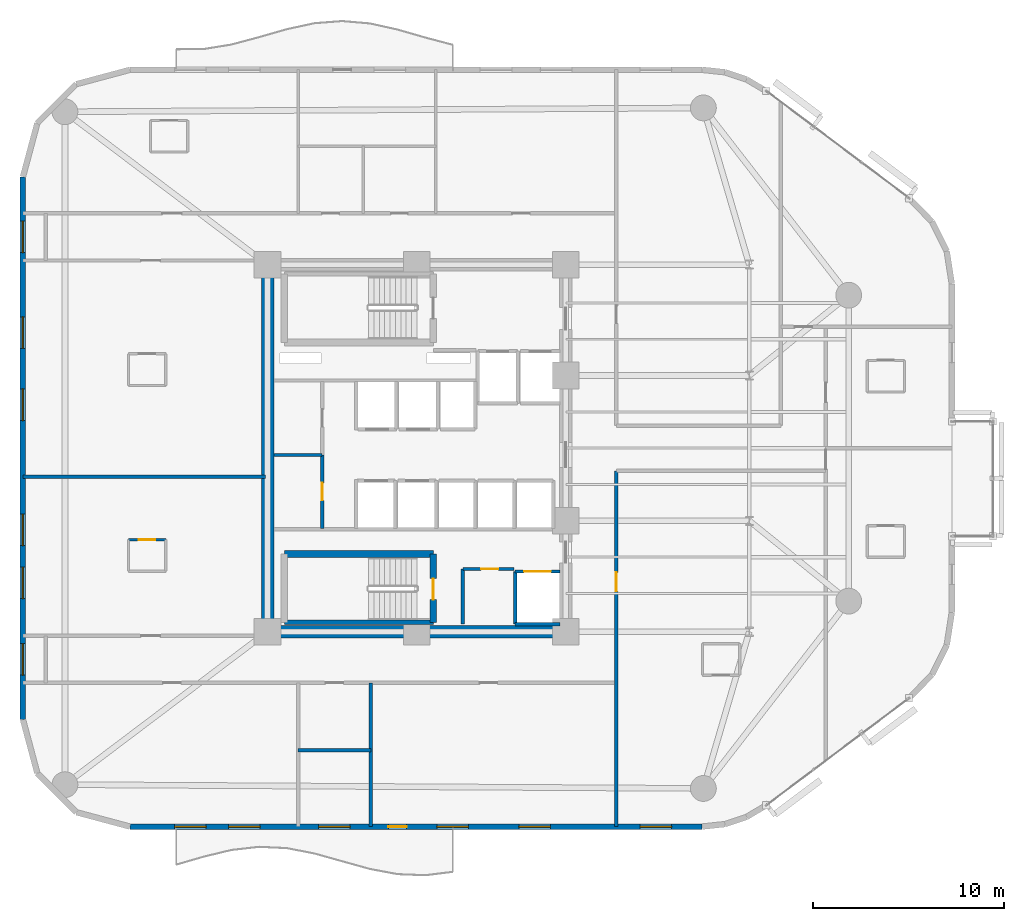
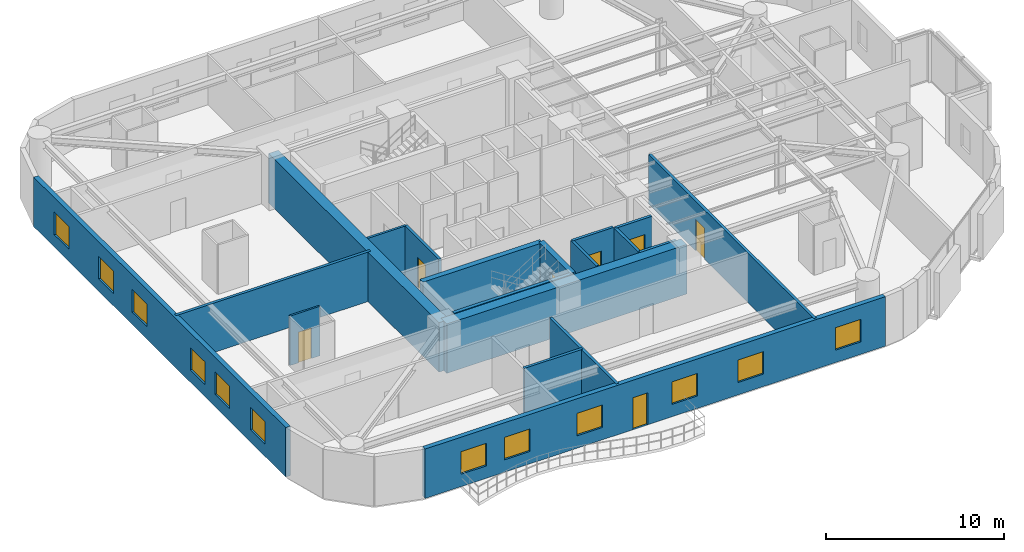
# One storey, part 8 of 14: 19 walls, 12 windows, 7 doors, 19 openings.
"""IFC4 building model written with IfcOpenShell, lengths in metres."""

from ifc_helpers import new_model, si_unit, direction, frame, frame_2d, origin, place, context, subcontext, project, spatial, rectangle, extrude, material, layer, layer_set, type_object, element, fill, save


model = new_model("IFC4")

# Units and contexts
model_context = context("Model", 3, precision=1e-05, world=origin(), true_north=direction((0.0, 1.0)))
body_context = subcontext(model_context, "Body", "Model", "MODEL_VIEW")
ifc_project = project(units=[si_unit("LENGTHUNIT", "METRE"), si_unit("AREAUNIT", "SQUARE_METRE"), si_unit("VOLUMEUNIT", "CUBIC_METRE"), si_unit("PLANEANGLEUNIT", "RADIAN"), si_unit("MASSUNIT", "GRAM", prefix="KILO")], contexts=[model_context])

# Site, building, storey
site_placement = place(None, origin())
site = spatial("IfcSite", under=ifc_project, at=site_placement, CompositionType="ELEMENT")
building_placement = place(site_placement, origin())
building = spatial("IfcBuilding", under=site, at=building_placement, Name="An Khanh Terracotta Commons", CompositionType="ELEMENT")
storey_placement = place(building_placement, frame((0.0, 0.0, 104.300048828125)))
storey = spatial("IfcBuildingStorey", under=building, at=storey_placement, Name="L27", CompositionType="ELEMENT", Elevation=104.300048828125)

# Walls
ifc_material_1 = material(Name="Concrete C60/75", Category="concrete")
ifc_layer_1 = layer(ifc_material_1, 0.64990234375, Name="Concrete C60/75")
ifc_layer_set_1 = layer_set([ifc_layer_1], Name="Concrete C60/75")
wall_type_1 = type_object("IfcWallType", Name="WALL-CORE-650", PredefinedType="SHEAR", material=ifc_layer_set_1)
wall_1_placement = place(storey_placement, frame((21.60009765625, 14.39990234375, 0.0), z_axis=(0.0, 0.0, 1.0), x_axis=(0.0, 1.0, 0.0)))
element("IfcWall", 1, at=wall_1_placement, inside=storey, type_object=wall_type_1, Name="L27 Core Wall CWALL-L27-W", PredefinedType="SHEAR", context=body_context, shape_type="SweptSolid", body=[
    extrude(rectangle(XDim=19.2001953125, YDim=0.64990234375, at=frame_2d((9.60009765625, 0.0))), origin(), (0.0, 0.0, 1.0), 3.39990234375),
])
wall_2_placement = place(storey_placement, frame((37.199951171875, 14.39990234375, 0.0), z_axis=(0.0, 0.0, 1.0), x_axis=(-1.0, 0.0, 0.0)))
element("IfcWall", 2, at=wall_2_placement, inside=storey, type_object=wall_type_1, Name="L27 Core Wall CWALL-L27-S", PredefinedType="SHEAR", context=body_context, shape_type="SweptSolid", body=[
    extrude(rectangle(XDim=15.599853515625, YDim=0.64990234375, at=frame_2d((7.7998046875, 0.0))), origin(), (0.0, 0.0, 1.0), 3.39990234375),
])

# Wall, opening, door
ifc_material_2 = material(Name="Fire-Rated Gypsum Board on Steel Stud", Category="steel")
ifc_layer_2 = layer(ifc_material_2, 0.179931640625, Name="Fire-Rated Gypsum Board on Steel Stud")
ifc_layer_set_2 = layer_set([ifc_layer_2], Name="Fire-Rated Gypsum Board on Steel Stud")
wall_type_2 = type_object("IfcWallType", Name="WALL-CORR-180", PredefinedType="PARTITIONING", material=ifc_layer_set_2)
wall_3_placement = place(storey_placement, frame((31.820068359375, 17.679931640625, 0.0), z_axis=(0.0, 0.0, 1.0), x_axis=(1.0, 0.0, 0.0)))
wall_3 = element("IfcWall", 3, at=wall_3_placement, inside=storey, type_object=wall_type_2, Name="L27 Core Wall SSVCW-L27-N", PredefinedType="PARTITIONING", context=body_context, shape_type="SweptSolid", body=[
    extrude(rectangle(XDim=2.659912109375, YDim=0.179931640625, at=frame_2d((1.330078125, 0.0))), origin(), (0.0, 0.0, 1.0), 3.39990234375),
])
opening_1_placement = place(wall_3_placement, frame((0.949951171875, 0.0, 0.0)))
opening_1 = element("IfcOpeningElement", 4, at=opening_1_placement, cuts=wall_3, Name="Opening D-SV", PredefinedType="OPENING", context=body_context, shape_type="SweptSolid", body=[
    extrude(rectangle(XDim=0.89990234375, YDim=2.050048828125, at=frame_2d((0.449951171875, 1.02490234375))), frame((0.0, 0.099853515625, 0.0), z_axis=(0.0, -1.0, 0.0), x_axis=(1.0, 0.0, 0.0)), (0.0, 0.0, 1.0), 0.199951171875),
])
ifc_material_3 = material(Name="Fire-Rated Powder-Coated Steel Door", Category="steel")
door_type_1 = type_object("IfcDoorType", Name="DOOR-SERV-900", OperationType="NOTDEFINED", PredefinedType="DOOR", material=ifc_material_3)
door_1_placement = place(opening_1_placement, origin())
door_1 = element("IfcDoor", 5, at=door_1_placement, inside=storey, type_object=door_type_1, Name="L27 Electrical Switch Cupboard Door", OperationType="SINGLE_SWING_RIGHT", OverallHeight=2.050048828125, OverallWidth=0.89990234375, PredefinedType="DOOR", context=body_context, shape_type="SweptSolid", body=[
    extrude(rectangle(XDim=0.89990234375, YDim=2.050048828125, at=frame_2d((0.449951171875, 1.02490234375))), frame((0.0, 0.02490234375, 0.0), z_axis=(0.0, -1.0, 0.0), x_axis=(1.0, 0.0, 0.0)), (0.0, 0.0, 1.0), 0.050048828125),
])
fill(opening_1, door_1)

# Wall
wall_4_placement = place(storey_placement, frame((31.820068359375, 14.800048828125, 0.0), z_axis=(0.0, 0.0, 1.0), x_axis=(0.0, 1.0, 0.0)))
element("IfcWall", 6, at=wall_4_placement, inside=storey, type_object=wall_type_2, Name="L27 Core Wall SSVCW-L27-W", PredefinedType="PARTITIONING", context=body_context, shape_type="SweptSolid", body=[
    extrude(rectangle(XDim=2.8798828125, YDim=0.179931640625, at=frame_2d((1.43994140625, 0.0))), origin(), (0.0, 0.0, 1.0), 3.39990234375),
])

# Wall, opening, door
wall_5_placement = place(storey_placement, frame((34.550048828125, 17.550048828125, 0.0), z_axis=(0.0, 0.0, 1.0), x_axis=(1.0, 0.0, 0.0)))
wall_5 = element("IfcWall", 7, at=wall_5_placement, inside=storey, type_object=wall_type_2, Name="L27 Core Wall LSH-L27-SVL-01-N", PredefinedType="PARTITIONING", context=body_context, shape_type="SweptSolid", body=[
    extrude(rectangle(XDim=2.349853515625, YDim=0.179931640625, at=frame_2d((1.1748046875, 0.0))), origin(), (0.0, 0.0, 1.0), 3.39990234375),
])
opening_2_placement = place(wall_5_placement, frame((0.47509765625, 0.0, 0.0)))
opening_2 = element("IfcOpeningElement", 8, at=opening_2_placement, cuts=wall_5, Name="Opening LD-SVL-01-L27", PredefinedType="OPENING", context=body_context, shape_type="SweptSolid", body=[
    extrude(rectangle(XDim=1.39990234375, YDim=2.300048828125, at=frame_2d((0.699951171875, 1.14990234375))), frame((0.0, 0.099853515625, 0.0), z_axis=(0.0, -1.0, 0.0), x_axis=(1.0, 0.0, 0.0)), (0.0, 0.0, 1.0), 0.199951171875),
])
ifc_material_4 = material(Name="Heavy-Duty Stainless Steel Goods Landing Door", Category="steel")
door_type_2 = type_object("IfcDoorType", Name="DOOR-LD-SVL-1400", OperationType="NOTDEFINED", PredefinedType="DOOR", material=ifc_material_4)
door_2_placement = place(opening_2_placement, origin())
door_2 = element("IfcDoor", 9, at=door_2_placement, inside=storey, type_object=door_type_2, Name="L27 Lift SVL-01 Sliding Landing Door", OperationType="DOUBLE_DOOR_SLIDING", OverallHeight=2.300048828125, OverallWidth=1.39990234375, PredefinedType="DOOR", context=body_context, shape_type="SweptSolid", body=[
    extrude(rectangle(XDim=1.39990234375, YDim=2.300048828125, at=frame_2d((0.699951171875, 1.14990234375))), frame((0.0, 0.02490234375, 0.0), z_axis=(0.0, -1.0, 0.0), x_axis=(1.0, 0.0, 0.0)), (0.0, 0.0, 1.0), 0.050048828125),
])
fill(opening_2, door_2)

# Walls
wall_6_placement = place(storey_placement, frame((36.89990234375, 14.800048828125, 0.0), z_axis=(0.0, 0.0, 1.0), x_axis=(-1.0, 0.0, 0.0)))
element("IfcWall", 10, at=wall_6_placement, inside=storey, type_object=wall_type_2, Name="L27 Core Wall LSH-L27-SVL-01-S", PredefinedType="PARTITIONING", context=body_context, shape_type="SweptSolid", body=[
    extrude(rectangle(XDim=2.349853515625, YDim=0.179931640625, at=frame_2d((1.1748046875, 0.0))), origin(), (0.0, 0.0, 1.0), 3.39990234375),
])
wall_7_placement = place(storey_placement, frame((34.550048828125, 17.550048828125, 0.0), z_axis=(0.0, 0.0, 1.0), x_axis=(0.0, -1.0, 0.0)))
element("IfcWall", 11, at=wall_7_placement, inside=storey, type_object=wall_type_2, Name="L27 Core Wall LSH-L27-SVL-01-W", PredefinedType="PARTITIONING", context=body_context, shape_type="SweptSolid", body=[
    extrude(rectangle(XDim=2.75, YDim=0.179931640625, at=frame_2d((1.375, 0.0))), origin(), (0.0, 0.0, 1.0), 3.39990234375),
])

# Wall, opening, door
wall_8_placement = place(storey_placement, frame((24.4599609375, 19.800048828125, 0.0), z_axis=(0.0, 0.0, 1.0), x_axis=(0.0, 1.0, 0.0)))
wall_8 = element("IfcWall", 12, at=wall_8_placement, inside=storey, type_object=wall_type_2, Name="L27 Core Wall RECW-L27-E2", PredefinedType="PARTITIONING", context=body_context, shape_type="SweptSolid", body=[
    extrude(rectangle(XDim=3.849853515625, YDim=0.179931640625, at=frame_2d((1.9248046875, 0.0))), origin(), (0.0, 0.0, 1.0), 3.39990234375),
])
opening_3_placement = place(wall_8_placement, frame((1.465087890625, 0.0, 0.0)))
opening_3 = element("IfcOpeningElement", 13, at=opening_3_placement, cuts=wall_8, Name="Opening D-RM", PredefinedType="OPENING", context=body_context, shape_type="SweptSolid", body=[
    extrude(rectangle(XDim=0.919921875, YDim=2.10009765625, at=frame_2d((0.4599609375, 1.050048828125))), frame((0.0, 0.099853515625, 0.0), z_axis=(0.0, -1.0, 0.0), x_axis=(1.0, 0.0, 0.0)), (0.0, 0.0, 1.0), 0.199951171875),
])
ifc_material_5 = material(Name="Engineered Hardwood Timber Leaf", Category="wood")
door_type_3 = type_object("IfcDoorType", Name="DOOR-INT-920", OperationType="NOTDEFINED", PredefinedType="DOOR", material=ifc_material_5)
door_3_placement = place(opening_3_placement, origin())
door_3 = element("IfcDoor", 14, at=door_3_placement, inside=storey, type_object=door_type_3, Name="L27 Floor Pantry and Ice Room Door", OperationType="SINGLE_SWING_RIGHT", OverallHeight=2.10009765625, OverallWidth=0.919921875, PredefinedType="DOOR", context=body_context, shape_type="SweptSolid", body=[
    extrude(rectangle(XDim=0.919921875, YDim=2.10009765625, at=frame_2d((0.4599609375, 1.050048828125))), frame((0.0, 0.02490234375, 0.0), z_axis=(0.0, -1.0, 0.0), x_axis=(1.0, 0.0, 0.0)), (0.0, 0.0, 1.0), 0.050048828125),
])
fill(opening_3, door_3)

# Walls
wall_9_placement = place(storey_placement, frame((23.199951171875, 8.199951171875, 0.0), z_axis=(0.0, 0.0, 1.0), x_axis=(1.0, 0.0, 0.0)))
element("IfcWall", 15, at=wall_9_placement, inside=storey, type_object=wall_type_2, Name="L27 Interior Partition IW-L27-E001", PredefinedType="PARTITIONING", context=body_context, shape_type="SweptSolid", body=[
    extrude(rectangle(XDim=3.800048828125, YDim=0.179931640625, at=frame_2d((1.89990234375, 0.0))), origin(), (0.0, 0.0, 1.0), 3.39990234375),
])
wall_10_placement = place(storey_placement, frame((8.800048828125, 22.5, 0.0), z_axis=(0.0, 0.0, 1.0), x_axis=(1.0, 0.0, 0.0)))
element("IfcWall", 16, at=wall_10_placement, inside=storey, type_object=wall_type_2, Name="L27 Interior Partition IW-L27-E004", PredefinedType="PARTITIONING", context=body_context, shape_type="SweptSolid", body=[
    extrude(rectangle(XDim=12.679931640625, YDim=0.179931640625, at=frame_2d((6.33984375, 0.0))), origin(), (0.0, 0.0, 1.0), 3.39990234375),
])
wall_11_placement = place(storey_placement, frame((27.0, 4.199951171875, 0.0), z_axis=(0.0, 0.0, 1.0), x_axis=(0.0, 1.0, 0.0)))
element("IfcWall", 17, at=wall_11_placement, inside=storey, type_object=wall_type_2, Name="L27 Interior Partition IW-L27-E017", PredefinedType="PARTITIONING", context=body_context, shape_type="SweptSolid", body=[
    extrude(rectangle(XDim=7.52001953125, YDim=0.179931640625, at=frame_2d((3.760009765625, 0.0))), origin(), (0.0, 0.0, 1.0), 3.39990234375),
])

# Wall, opening, door
wall_12_placement = place(storey_placement, frame((39.85009765625, 4.199951171875, 0.0), z_axis=(0.0, 0.0, 1.0), x_axis=(0.0, 1.0, 0.0)))
wall_12 = element("IfcWall", 18, at=wall_12_placement, inside=storey, type_object=wall_type_2, Name="L27 Interior Partition IW-L27-E019", PredefinedType="PARTITIONING", context=body_context, shape_type="SweptSolid", body=[
    extrude(rectangle(XDim=18.6201171875, YDim=0.179931640625, at=frame_2d((9.31005859375, 0.0))), origin(), (0.0, 0.0, 1.0), 3.39990234375),
])
opening_4_placement = place(wall_12_placement, frame((12.31005859375, 0.0, 0.0)))
opening_4 = element("IfcOpeningElement", 19, at=opening_4_placement, cuts=wall_12, Name="Opening D-UN", PredefinedType="OPENING", context=body_context, shape_type="SweptSolid", body=[
    extrude(rectangle(XDim=1.0, YDim=2.14990234375, at=frame_2d((0.5, 1.074951171875))), frame((0.0, 0.099853515625, 0.0), z_axis=(0.0, -1.0, 0.0), x_axis=(1.0, 0.0, 0.0)), (0.0, 0.0, 1.0), 0.199951171875),
])
ifc_material_6 = material(Name="Solid-Core Hardwood Acoustic Fire Door", Category="wood")
door_type_4 = type_object("IfcDoorType", Name="DOOR-UNIT-1000", OperationType="NOTDEFINED", PredefinedType="DOOR", material=ifc_material_6)
door_4_placement = place(opening_4_placement, origin())
door_4 = element("IfcDoor", 20, at=door_4_placement, inside=storey, type_object=door_type_4, Name="L27 ZW2 Kitchenette and Studio Apartment Door", OperationType="SINGLE_SWING_LEFT", OverallHeight=2.14990234375, OverallWidth=1.0, PredefinedType="DOOR", context=body_context, shape_type="SweptSolid", body=[
    extrude(rectangle(XDim=1.0, YDim=2.14990234375, at=frame_2d((0.5, 1.074951171875))), frame((0.0, 0.02490234375, 0.0), z_axis=(0.0, -1.0, 0.0), x_axis=(1.0, 0.0, 0.0)), (0.0, 0.0, 1.0), 0.050048828125),
])
fill(opening_4, door_4)

# Wall, openings, door, windows
ifc_material_7 = material(Name="Precast concrete C40/50", Category="concrete")
ifc_layer_3 = layer(ifc_material_7, 0.300048828125, Name="Precast concrete C40/50")
ifc_layer_set_3 = layer_set([ifc_layer_3], Name="Precast concrete C40/50")
wall_type_3 = type_object("IfcWallType", Name="WALL-EXT-300", PredefinedType="SOLIDWALL", material=ifc_layer_set_3)
wall_13_placement = place(storey_placement, frame((14.39990234375, 4.199951171875, 0.0), z_axis=(0.0, 0.0, 1.0), x_axis=(1.0, 0.0, 0.0)))
wall_13 = element("IfcWall", 21, at=wall_13_placement, inside=storey, type_object=wall_type_3, Name="L27 Insulated Terracotta Exterior Wall 4", PredefinedType="SOLIDWALL", context=body_context, shape_type="SweptSolid", body=[
    extrude(rectangle(XDim=29.93310546875, YDim=0.300048828125, at=frame_2d((14.966552734375, 0.0))), origin(), (0.0, 0.0, 1.0), 3.39990234375),
])
opening_5_placement = place(wall_13_placement, frame((13.52490234375, 0.0, 0.0)))
opening_5 = element("IfcOpeningElement", 22, at=opening_5_placement, cuts=wall_13, Name="Opening D-BAL", PredefinedType="OPENING", context=body_context, shape_type="SweptSolid", body=[
    extrude(rectangle(XDim=0.949951171875, YDim=2.199951171875, at=frame_2d((0.47509765625, 1.10009765625))), frame((0.0, 0.159912109375, 0.0), z_axis=(0.0, -1.0, 0.0), x_axis=(1.0, 0.0, 0.0)), (0.0, 0.0, 1.0), 0.320068359375),
])
opening_6_placement = place(wall_13_placement, frame((2.342041015625, 0.0, 0.85009765625)))
opening_6 = element("IfcOpeningElement", 23, at=opening_6_placement, cuts=wall_13, Name="Opening W-02", PredefinedType="OPENING", context=body_context, shape_type="SweptSolid", body=[
    extrude(rectangle(XDim=1.64990234375, YDim=1.550048828125, at=frame_2d((0.824951171875, 0.77490234375))), frame((0.0, 0.159912109375, 0.0), z_axis=(0.0, -1.0, 0.0), x_axis=(1.0, 0.0, 0.0)), (0.0, 0.0, 1.0), 0.320068359375),
])
opening_7_placement = place(wall_13_placement, frame((5.157958984375, 0.0, 0.85009765625)))
opening_7 = element("IfcOpeningElement", 24, at=opening_7_placement, cuts=wall_13, Name="Opening W-02", PredefinedType="OPENING", context=body_context, shape_type="SweptSolid", body=[
    extrude(rectangle(XDim=1.64990234375, YDim=1.550048828125, at=frame_2d((0.824951171875, 0.77490234375))), frame((0.0, 0.159912109375, 0.0), z_axis=(0.0, -1.0, 0.0), x_axis=(1.0, 0.0, 0.0)), (0.0, 0.0, 1.0), 0.320068359375),
])
opening_8_placement = place(wall_13_placement, frame((9.875, 0.0, 0.85009765625)))
opening_8 = element("IfcOpeningElement", 25, at=opening_8_placement, cuts=wall_13, Name="Opening W-02", PredefinedType="OPENING", context=body_context, shape_type="SweptSolid", body=[
    extrude(rectangle(XDim=1.64990234375, YDim=1.550048828125, at=frame_2d((0.824951171875, 0.77490234375))), frame((0.0, 0.159912109375, 0.0), z_axis=(0.0, -1.0, 0.0), x_axis=(1.0, 0.0, 0.0)), (0.0, 0.0, 1.0), 0.320068359375),
])
opening_9_placement = place(wall_13_placement, frame((16.05810546875, 0.0, 0.85009765625)))
opening_9 = element("IfcOpeningElement", 26, at=opening_9_placement, cuts=wall_13, Name="Opening W-02", PredefinedType="OPENING", context=body_context, shape_type="SweptSolid", body=[
    extrude(rectangle(XDim=1.64990234375, YDim=1.550048828125, at=frame_2d((0.824951171875, 0.77490234375))), frame((0.0, 0.159912109375, 0.0), z_axis=(0.0, -1.0, 0.0), x_axis=(1.0, 0.0, 0.0)), (0.0, 0.0, 1.0), 0.320068359375),
])
opening_10_placement = place(wall_13_placement, frame((20.342041015625, 0.0, 0.85009765625)))
opening_10 = element("IfcOpeningElement", 27, at=opening_10_placement, cuts=wall_13, Name="Opening W-02", PredefinedType="OPENING", context=body_context, shape_type="SweptSolid", body=[
    extrude(rectangle(XDim=1.64990234375, YDim=1.550048828125, at=frame_2d((0.824951171875, 0.77490234375))), frame((0.0, 0.159912109375, 0.0), z_axis=(0.0, -1.0, 0.0), x_axis=(1.0, 0.0, 0.0)), (0.0, 0.0, 1.0), 0.320068359375),
])
opening_11_placement = place(wall_13_placement, frame((26.69189453125, 0.0, 0.85009765625)))
opening_11 = element("IfcOpeningElement", 28, at=opening_11_placement, cuts=wall_13, Name="Opening W-02", PredefinedType="OPENING", context=body_context, shape_type="SweptSolid", body=[
    extrude(rectangle(XDim=1.64990234375, YDim=1.550048828125, at=frame_2d((0.824951171875, 0.77490234375))), frame((0.0, 0.159912109375, 0.0), z_axis=(0.0, -1.0, 0.0), x_axis=(1.0, 0.0, 0.0)), (0.0, 0.0, 1.0), 0.320068359375),
])
ifc_material_8 = material(Name="Thermally Broken Aluminium and Low-E Glass", Category="aluminium")
door_type_5 = type_object("IfcDoorType", Name="DOOR-BALC-950", OperationType="NOTDEFINED", PredefinedType="DOOR", material=ifc_material_8)
door_5_placement = place(opening_5_placement, origin())
door_5 = element("IfcDoor", 29, at=door_5_placement, inside=storey, type_object=door_type_5, Name="L27 S Wave Balcony Glazed Door", OperationType="SINGLE_SWING_LEFT", OverallHeight=2.199951171875, OverallWidth=0.949951171875, PredefinedType="DOOR", context=body_context, shape_type="SweptSolid", body=[
    extrude(rectangle(XDim=0.949951171875, YDim=2.199951171875, at=frame_2d((0.47509765625, 1.10009765625))), frame((0.0, 0.02490234375, 0.0), z_axis=(0.0, -1.0, 0.0), x_axis=(1.0, 0.0, 0.0)), (0.0, 0.0, 1.0), 0.050048828125),
])
fill(opening_5, door_5)
window_type = type_object("IfcWindowType", Name="WIN-Z2-1650x1550", PartitioningType="DOUBLE_PANEL_VERTICAL", PredefinedType="WINDOW", material=ifc_material_8)
window_1_placement = place(opening_6_placement, origin())
window_1 = element("IfcWindow", 30, at=window_1_placement, inside=storey, type_object=window_type, Name="L27 Operable Casement Window 4.1", OverallHeight=1.550048828125, OverallWidth=1.64990234375, PartitioningType="DOUBLE_PANEL_VERTICAL", PredefinedType="WINDOW", context=body_context, shape_type="SweptSolid", body=[
    extrude(rectangle(XDim=1.64990234375, YDim=1.550048828125, at=frame_2d((0.824951171875, 0.77490234375))), frame((0.0, 0.030029296875, 0.0), z_axis=(0.0, -1.0, 0.0), x_axis=(1.0, 0.0, 0.0)), (0.0, 0.0, 1.0), 0.06005859375),
])
fill(opening_6, window_1)
window_2_placement = place(opening_7_placement, origin())
window_2 = element("IfcWindow", 31, at=window_2_placement, inside=storey, type_object=window_type, Name="L27 Operable Casement Window 4.2", OverallHeight=1.550048828125, OverallWidth=1.64990234375, PartitioningType="DOUBLE_PANEL_VERTICAL", PredefinedType="WINDOW", context=body_context, shape_type="SweptSolid", body=[
    extrude(rectangle(XDim=1.64990234375, YDim=1.550048828125, at=frame_2d((0.824951171875, 0.77490234375))), frame((0.0, 0.030029296875, 0.0), z_axis=(0.0, -1.0, 0.0), x_axis=(1.0, 0.0, 0.0)), (0.0, 0.0, 1.0), 0.06005859375),
])
fill(opening_7, window_2)
window_3_placement = place(opening_8_placement, origin())
window_3 = element("IfcWindow", 32, at=window_3_placement, inside=storey, type_object=window_type, Name="L27 Operable Casement Window 4.3", OverallHeight=1.550048828125, OverallWidth=1.64990234375, PartitioningType="DOUBLE_PANEL_VERTICAL", PredefinedType="WINDOW", context=body_context, shape_type="SweptSolid", body=[
    extrude(rectangle(XDim=1.64990234375, YDim=1.550048828125, at=frame_2d((0.824951171875, 0.77490234375))), frame((0.0, 0.030029296875, 0.0), z_axis=(0.0, -1.0, 0.0), x_axis=(1.0, 0.0, 0.0)), (0.0, 0.0, 1.0), 0.06005859375),
])
fill(opening_8, window_3)
window_4_placement = place(opening_9_placement, origin())
window_4 = element("IfcWindow", 33, at=window_4_placement, inside=storey, type_object=window_type, Name="L27 Operable Casement Window 4.4", OverallHeight=1.550048828125, OverallWidth=1.64990234375, PartitioningType="DOUBLE_PANEL_VERTICAL", PredefinedType="WINDOW", context=body_context, shape_type="SweptSolid", body=[
    extrude(rectangle(XDim=1.64990234375, YDim=1.550048828125, at=frame_2d((0.824951171875, 0.77490234375))), frame((0.0, 0.030029296875, 0.0), z_axis=(0.0, -1.0, 0.0), x_axis=(1.0, 0.0, 0.0)), (0.0, 0.0, 1.0), 0.06005859375),
])
fill(opening_9, window_4)
window_5_placement = place(opening_10_placement, origin())
window_5 = element("IfcWindow", 34, at=window_5_placement, inside=storey, type_object=window_type, Name="L27 Operable Casement Window 4.5", OverallHeight=1.550048828125, OverallWidth=1.64990234375, PartitioningType="DOUBLE_PANEL_VERTICAL", PredefinedType="WINDOW", context=body_context, shape_type="SweptSolid", body=[
    extrude(rectangle(XDim=1.64990234375, YDim=1.550048828125, at=frame_2d((0.824951171875, 0.77490234375))), frame((0.0, 0.030029296875, 0.0), z_axis=(0.0, -1.0, 0.0), x_axis=(1.0, 0.0, 0.0)), (0.0, 0.0, 1.0), 0.06005859375),
])
fill(opening_10, window_5)
window_6_placement = place(opening_11_placement, origin())
window_6 = element("IfcWindow", 35, at=window_6_placement, inside=storey, type_object=window_type, Name="L27 Operable Casement Window 4.6", OverallHeight=1.550048828125, OverallWidth=1.64990234375, PartitioningType="DOUBLE_PANEL_VERTICAL", PredefinedType="WINDOW", context=body_context, shape_type="SweptSolid", body=[
    extrude(rectangle(XDim=1.64990234375, YDim=1.550048828125, at=frame_2d((0.824951171875, 0.77490234375))), frame((0.0, 0.030029296875, 0.0), z_axis=(0.0, -1.0, 0.0), x_axis=(1.0, 0.0, 0.0)), (0.0, 0.0, 1.0), 0.06005859375),
])
fill(opening_11, window_6)

# Wall, openings, windows
wall_14_placement = place(storey_placement, frame((8.800048828125, 38.199951171875, 0.0), z_axis=(0.0, 0.0, 1.0), x_axis=(0.0, -1.0, 0.0)))
wall_14 = element("IfcWall", 36, at=wall_14_placement, inside=storey, type_object=wall_type_3, Name="L27 Insulated Terracotta Exterior Wall 24", PredefinedType="SOLIDWALL", context=body_context, shape_type="SweptSolid", body=[
    extrude(rectangle(XDim=28.39990234375, YDim=0.300048828125, at=frame_2d((14.199951171875, 0.0))), origin(), (0.0, 0.0, 1.0), 3.39990234375),
])
opening_12_placement = place(wall_14_placement, frame((2.324951171875, 0.0, 0.85009765625)))
opening_12 = element("IfcOpeningElement", 37, at=opening_12_placement, cuts=wall_14, Name="Opening W-02", PredefinedType="OPENING", context=body_context, shape_type="SweptSolid", body=[
    extrude(rectangle(XDim=1.64990234375, YDim=1.550048828125, at=frame_2d((0.824951171875, 0.77490234375))), frame((0.0, 0.159912109375, 0.0), z_axis=(0.0, -1.0, 0.0), x_axis=(1.0, 0.0, 0.0)), (0.0, 0.0, 1.0), 0.320068359375),
])
opening_13_placement = place(wall_14_placement, frame((7.327880859375, 0.0, 0.85009765625)))
opening_13 = element("IfcOpeningElement", 38, at=opening_13_placement, cuts=wall_14, Name="Opening W-02", PredefinedType="OPENING", context=body_context, shape_type="SweptSolid", body=[
    extrude(rectangle(XDim=1.64990234375, YDim=1.550048828125, at=frame_2d((0.824951171875, 0.77490234375))), frame((0.0, 0.159912109375, 0.0), z_axis=(0.0, -1.0, 0.0), x_axis=(1.0, 0.0, 0.0)), (0.0, 0.0, 1.0), 0.320068359375),
])
opening_14_placement = place(wall_14_placement, frame((11.10205078125, 0.0, 0.85009765625)))
opening_14 = element("IfcOpeningElement", 39, at=opening_14_placement, cuts=wall_14, Name="Opening W-02", PredefinedType="OPENING", context=body_context, shape_type="SweptSolid", body=[
    extrude(rectangle(XDim=1.64990234375, YDim=1.550048828125, at=frame_2d((0.824951171875, 0.77490234375))), frame((0.0, 0.159912109375, 0.0), z_axis=(0.0, -1.0, 0.0), x_axis=(1.0, 0.0, 0.0)), (0.0, 0.0, 1.0), 0.320068359375),
])
opening_15_placement = place(wall_14_placement, frame((17.64794921875, 0.0, 0.85009765625)))
opening_15 = element("IfcOpeningElement", 40, at=opening_15_placement, cuts=wall_14, Name="Opening W-02", PredefinedType="OPENING", context=body_context, shape_type="SweptSolid", body=[
    extrude(rectangle(XDim=1.64990234375, YDim=1.550048828125, at=frame_2d((0.824951171875, 0.77490234375))), frame((0.0, 0.159912109375, 0.0), z_axis=(0.0, -1.0, 0.0), x_axis=(1.0, 0.0, 0.0)), (0.0, 0.0, 1.0), 0.320068359375),
])
opening_16_placement = place(wall_14_placement, frame((20.422119140625, 0.0, 0.85009765625)))
opening_16 = element("IfcOpeningElement", 41, at=opening_16_placement, cuts=wall_14, Name="Opening W-02", PredefinedType="OPENING", context=body_context, shape_type="SweptSolid", body=[
    extrude(rectangle(XDim=1.64990234375, YDim=1.550048828125, at=frame_2d((0.824951171875, 0.77490234375))), frame((0.0, 0.159912109375, 0.0), z_axis=(0.0, -1.0, 0.0), x_axis=(1.0, 0.0, 0.0)), (0.0, 0.0, 1.0), 0.320068359375),
])
opening_17_placement = place(wall_14_placement, frame((24.425048828125, 0.0, 0.85009765625)))
opening_17 = element("IfcOpeningElement", 42, at=opening_17_placement, cuts=wall_14, Name="Opening W-02", PredefinedType="OPENING", context=body_context, shape_type="SweptSolid", body=[
    extrude(rectangle(XDim=1.64990234375, YDim=1.550048828125, at=frame_2d((0.824951171875, 0.77490234375))), frame((0.0, 0.159912109375, 0.0), z_axis=(0.0, -1.0, 0.0), x_axis=(1.0, 0.0, 0.0)), (0.0, 0.0, 1.0), 0.320068359375),
])
window_7_placement = place(opening_12_placement, origin())
window_7 = element("IfcWindow", 43, at=window_7_placement, inside=storey, type_object=window_type, Name="L27 Operable Casement Window 24.1", OverallHeight=1.550048828125, OverallWidth=1.64990234375, PartitioningType="DOUBLE_PANEL_VERTICAL", PredefinedType="WINDOW", context=body_context, shape_type="SweptSolid", body=[
    extrude(rectangle(XDim=1.64990234375, YDim=1.550048828125, at=frame_2d((0.824951171875, 0.77490234375))), frame((0.0, 0.030029296875, 0.0), z_axis=(0.0, -1.0, 0.0), x_axis=(1.0, 0.0, 0.0)), (0.0, 0.0, 1.0), 0.06005859375),
])
fill(opening_12, window_7)
window_8_placement = place(opening_13_placement, origin())
window_8 = element("IfcWindow", 44, at=window_8_placement, inside=storey, type_object=window_type, Name="L27 Operable Casement Window 24.2", OverallHeight=1.550048828125, OverallWidth=1.64990234375, PartitioningType="DOUBLE_PANEL_VERTICAL", PredefinedType="WINDOW", context=body_context, shape_type="SweptSolid", body=[
    extrude(rectangle(XDim=1.64990234375, YDim=1.550048828125, at=frame_2d((0.824951171875, 0.77490234375))), frame((0.0, 0.030029296875, 0.0), z_axis=(0.0, -1.0, 0.0), x_axis=(1.0, 0.0, 0.0)), (0.0, 0.0, 1.0), 0.06005859375),
])
fill(opening_13, window_8)
window_9_placement = place(opening_14_placement, origin())
window_9 = element("IfcWindow", 45, at=window_9_placement, inside=storey, type_object=window_type, Name="L27 Operable Casement Window 24.3", OverallHeight=1.550048828125, OverallWidth=1.64990234375, PartitioningType="DOUBLE_PANEL_VERTICAL", PredefinedType="WINDOW", context=body_context, shape_type="SweptSolid", body=[
    extrude(rectangle(XDim=1.64990234375, YDim=1.550048828125, at=frame_2d((0.824951171875, 0.77490234375))), frame((0.0, 0.030029296875, 0.0), z_axis=(0.0, -1.0, 0.0), x_axis=(1.0, 0.0, 0.0)), (0.0, 0.0, 1.0), 0.06005859375),
])
fill(opening_14, window_9)
window_10_placement = place(opening_15_placement, origin())
window_10 = element("IfcWindow", 46, at=window_10_placement, inside=storey, type_object=window_type, Name="L27 Operable Casement Window 24.4", OverallHeight=1.550048828125, OverallWidth=1.64990234375, PartitioningType="DOUBLE_PANEL_VERTICAL", PredefinedType="WINDOW", context=body_context, shape_type="SweptSolid", body=[
    extrude(rectangle(XDim=1.64990234375, YDim=1.550048828125, at=frame_2d((0.824951171875, 0.77490234375))), frame((0.0, 0.030029296875, 0.0), z_axis=(0.0, -1.0, 0.0), x_axis=(1.0, 0.0, 0.0)), (0.0, 0.0, 1.0), 0.06005859375),
])
fill(opening_15, window_10)
window_11_placement = place(opening_16_placement, origin())
window_11 = element("IfcWindow", 47, at=window_11_placement, inside=storey, type_object=window_type, Name="L27 Operable Casement Window 24.5", OverallHeight=1.550048828125, OverallWidth=1.64990234375, PartitioningType="DOUBLE_PANEL_VERTICAL", PredefinedType="WINDOW", context=body_context, shape_type="SweptSolid", body=[
    extrude(rectangle(XDim=1.64990234375, YDim=1.550048828125, at=frame_2d((0.824951171875, 0.77490234375))), frame((0.0, 0.030029296875, 0.0), z_axis=(0.0, -1.0, 0.0), x_axis=(1.0, 0.0, 0.0)), (0.0, 0.0, 1.0), 0.06005859375),
])
fill(opening_16, window_11)
window_12_placement = place(opening_17_placement, origin())
window_12 = element("IfcWindow", 48, at=window_12_placement, inside=storey, type_object=window_type, Name="L27 Operable Casement Window 24.6", OverallHeight=1.550048828125, OverallWidth=1.64990234375, PartitioningType="DOUBLE_PANEL_VERTICAL", PredefinedType="WINDOW", context=body_context, shape_type="SweptSolid", body=[
    extrude(rectangle(XDim=1.64990234375, YDim=1.550048828125, at=frame_2d((0.824951171875, 0.77490234375))), frame((0.0, 0.030029296875, 0.0), z_axis=(0.0, -1.0, 0.0), x_axis=(1.0, 0.0, 0.0)), (0.0, 0.0, 1.0), 0.06005859375),
])
fill(opening_17, window_12)

# Walls
ifc_material_9 = material(Name="Acoustic Gypsum Board Partition")
ifc_layer_4 = layer(ifc_material_9, 0.14990234375, Name="Acoustic Gypsum Board Partition")
ifc_layer_set_4 = layer_set([ifc_layer_4], Name="Acoustic Gypsum Board Partition")
wall_type_4 = type_object("IfcWallType", Name="WALL-PART-150", PredefinedType="PARTITIONING", material=ifc_layer_set_4)
wall_15_placement = place(storey_placement, frame((21.949951171875, 23.64990234375, 0.0), z_axis=(0.0, 0.0, 1.0), x_axis=(1.0, 0.0, 0.0)))
element("IfcWall", 49, at=wall_15_placement, inside=storey, type_object=wall_type_4, Name="L27 Core Wall RECW-L27-M", PredefinedType="PARTITIONING", context=body_context, shape_type="SweptSolid", body=[
    extrude(rectangle(XDim=2.510009765625, YDim=0.14990234375, at=frame_2d((1.2548828125, 0.0))), origin(), (0.0, 0.0, 1.0), 3.39990234375),
])
ifc_material_10 = material(Name="Acoustic Double-Stud Gypsum and Mineral Wool")
ifc_layer_5 = layer(ifc_material_10, 0.219970703125, Name="Acoustic Double-Stud Gypsum and Mineral Wool")
ifc_layer_set_5 = layer_set([ifc_layer_5], Name="Acoustic Double-Stud Gypsum and Mineral Wool")
wall_type_5 = type_object("IfcWallType", Name="WALL-PARTY-220", PredefinedType="PARTITIONING", material=ifc_layer_set_5)
wall_16_placement = place(storey_placement, frame((22.47998046875, 14.889892578125, 0.0), z_axis=(0.0, 0.0, 1.0), x_axis=(1.0, 0.0, 0.0)))
element("IfcWall", 50, at=wall_16_placement, inside=storey, type_object=wall_type_5, Name="L27 Core Wall STW-L27-S-S", PredefinedType="PARTITIONING", context=body_context, shape_type="SweptSolid", body=[
    extrude(rectangle(XDim=7.7900390625, YDim=0.219970703125, at=frame_2d((3.89501953125, 0.0))), origin(), (0.0, 0.0, 1.0), 3.39990234375),
])
ifc_material_11 = material(Name="Concrete C50/60", Category="concrete")
ifc_layer_6 = layer(ifc_material_11, 0.35009765625, Name="Concrete C50/60")
ifc_layer_set_6 = layer_set([ifc_layer_6], Name="Concrete C50/60")
wall_type_6 = type_object("IfcWallType", Name="WALL-SHAFT-350", PredefinedType="SOLIDWALL", material=ifc_layer_set_6)
wall_17_placement = place(storey_placement, frame((22.47998046875, 18.469970703125, 0.0), z_axis=(0.0, 0.0, 1.0), x_axis=(1.0, 0.0, 0.0)))
element("IfcWall", 51, at=wall_17_placement, inside=storey, type_object=wall_type_6, Name="L27 Core Wall STW-L27-S-N", PredefinedType="SOLIDWALL", context=body_context, shape_type="SweptSolid", body=[
    extrude(rectangle(XDim=7.7900390625, YDim=0.35009765625, at=frame_2d((3.89501953125, 0.0))), origin(), (0.0, 0.0, 1.0), 3.39990234375),
])

# Wall, opening, door
wall_18_placement = place(storey_placement, frame((30.27001953125, 14.889892578125, 0.0), z_axis=(0.0, 0.0, 1.0), x_axis=(0.0, 1.0, 0.0)))
wall_18 = element("IfcWall", 52, at=wall_18_placement, inside=storey, type_object=wall_type_6, Name="L27 Core Wall STW-L27-S-E", PredefinedType="SOLIDWALL", context=body_context, shape_type="SweptSolid", body=[
    extrude(rectangle(XDim=3.580078125, YDim=0.35009765625, at=frame_2d((1.7900390625, 0.0))), origin(), (0.0, 0.0, 1.0), 3.39990234375),
])
opening_18_placement = place(wall_18_placement, frame((1.18994140625, 0.0, 0.0)))
opening_18 = element("IfcOpeningElement", 53, at=opening_18_placement, cuts=wall_18, Name="Opening D-ST", PredefinedType="OPENING", context=body_context, shape_type="SweptSolid", body=[
    extrude(rectangle(XDim=1.10009765625, YDim=2.14990234375, at=frame_2d((0.550048828125, 1.074951171875))), frame((0.0, 0.18505859375, 0.0), z_axis=(0.0, -1.0, 0.0), x_axis=(1.0, 0.0, 0.0)), (0.0, 0.0, 1.0), 0.3701171875),
])
ifc_material_12 = material(Name="Fire-Rated Steel Leaf and Frame", Category="steel")
door_type_6 = type_object("IfcDoorType", Name="DOOR-STAIR-1100", OperationType="NOTDEFINED", PredefinedType="DOOR", material=ifc_material_12)
door_6_placement = place(opening_18_placement, origin())
door_6 = element("IfcDoor", 54, at=door_6_placement, inside=storey, type_object=door_type_6, Name="L27 Stair ST-02 Fire Door", OperationType="SINGLE_SWING_LEFT", OverallHeight=2.14990234375, OverallWidth=1.10009765625, PredefinedType="DOOR", context=body_context, shape_type="SweptSolid", body=[
    extrude(rectangle(XDim=1.10009765625, YDim=2.14990234375, at=frame_2d((0.550048828125, 1.074951171875))), frame((0.0, 0.02490234375, 0.0), z_axis=(0.0, -1.0, 0.0), x_axis=(1.0, 0.0, 0.0)), (0.0, 0.0, 1.0), 0.050048828125),
])
fill(opening_18, door_6)

ifc_material_13 = material(Name="Moisture-Resistant Cement Board Partition")
ifc_layer_7 = layer(ifc_material_13, 0.1201171875, Name="Moisture-Resistant Cement Board Partition")
ifc_layer_set_7 = layer_set([ifc_layer_7], Name="Moisture-Resistant Cement Board Partition")
wall_type_7 = type_object("IfcWallType", Name="WALL-WET-120", PredefinedType="PARTITIONING", material=ifc_layer_set_7)
wall_19_placement = place(storey_placement, frame((14.324951171875, 19.215087890625, 0.0), z_axis=(0.0, 0.0, 1.0), x_axis=(1.0, 0.0, 0.0)))
wall_19 = element("IfcWall", 55, at=wall_19_placement, inside=storey, type_object=wall_type_7, Name="L27 Interior Partition IW-L27-WW1-BN", PredefinedType="PARTITIONING", context=body_context, shape_type="SweptSolid", body=[
    extrude(rectangle(XDim=1.949951171875, YDim=0.1201171875, at=frame_2d((0.97509765625, 0.0))), origin(), (0.0, 0.0, 1.0), 3.39990234375),
])
opening_19_placement = place(wall_19_placement, frame((0.544921875, 0.0, 0.0)))
opening_19 = element("IfcOpeningElement", 56, at=opening_19_placement, cuts=wall_19, Name="Opening D-ENS", PredefinedType="OPENING", context=body_context, shape_type="SweptSolid", body=[
    extrude(rectangle(XDim=0.860107421875, YDim=2.10009765625, at=frame_2d((0.43017578125, 1.050048828125))), frame((0.0, 0.070068359375, 0.0), z_axis=(0.0, -1.0, 0.0), x_axis=(1.0, 0.0, 0.0)), (0.0, 0.0, 1.0), 0.14013671875),
])
ifc_material_14 = material(Name="Moisture-Resistant Hardwood Timber Leaf", Category="wood")
door_type_7 = type_object("IfcDoorType", Name="DOOR-BATH-860", OperationType="NOTDEFINED", PredefinedType="DOOR", material=ifc_material_14)
door_7_placement = place(opening_19_placement, origin())
door_7 = element("IfcDoor", 57, at=door_7_placement, inside=storey, type_object=door_type_7, Name="L27 Studio WW1 En-suite Door", OperationType="SINGLE_SWING_LEFT", OverallHeight=2.10009765625, OverallWidth=0.860107421875, PredefinedType="DOOR", context=body_context, shape_type="SweptSolid", body=[
    extrude(rectangle(XDim=0.860107421875, YDim=2.10009765625, at=frame_2d((0.43017578125, 1.050048828125))), frame((0.0, 0.02490234375, 0.0), z_axis=(0.0, -1.0, 0.0), x_axis=(1.0, 0.0, 0.0)), (0.0, 0.0, 1.0), 0.050048828125),
])
fill(opening_19, door_7)

save(model, "model.ifc")
